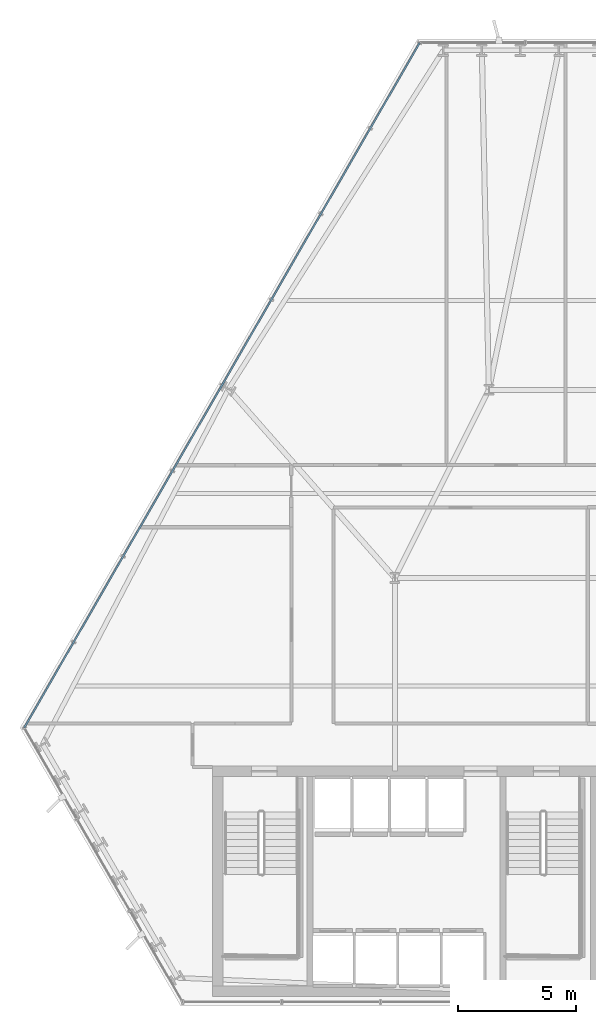
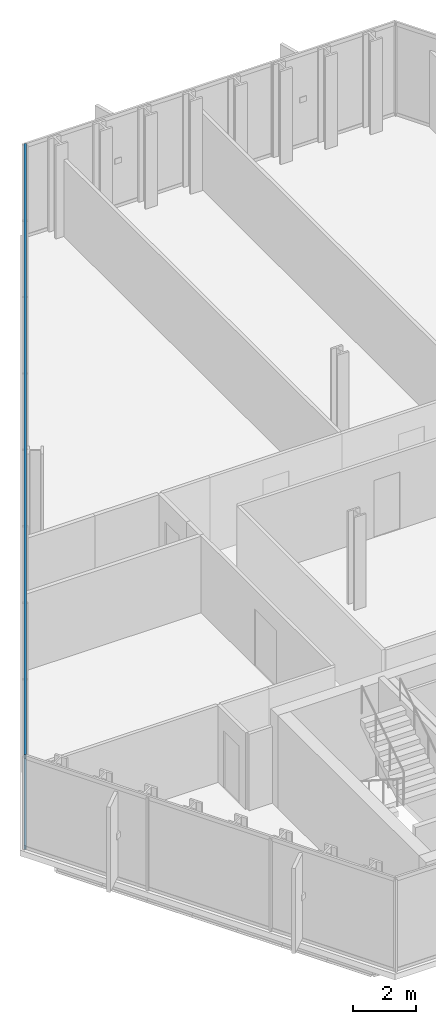
# One storey, part 12 of 31: 2 members, 1 element without a shape of its own.
"""IFC4 building model written with IfcOpenShell, lengths in metres."""

from ifc_helpers import new_model, si_unit, direction, frame, origin, origin_2d, place, context, subcontext, project, spatial, hollow_rectangle, extrude, material, layer, layer_set, material_profile, profile_set, type_object, element, aggregate, save


model = new_model("IFC4")

# Units and contexts
model_context = context("Model", 3, precision=1e-05, world=origin(), true_north=direction((0.0, 1.0)))
body_context = subcontext(model_context, "Body", "Model", "MODEL_VIEW")
ifc_project = project(units=[si_unit("LENGTHUNIT", "METRE"), si_unit("AREAUNIT", "SQUARE_METRE"), si_unit("VOLUMEUNIT", "CUBIC_METRE"), si_unit("PLANEANGLEUNIT", "RADIAN"), si_unit("MASSUNIT", "GRAM", prefix="KILO")], contexts=[model_context])

# Site, building, storey
site_placement = place(None, origin())
site = spatial("IfcSite", under=ifc_project, at=site_placement, CompositionType="ELEMENT")
building_placement = place(site_placement, origin())
building = spatial("IfcBuilding", under=site, at=building_placement, Name="Ndaravel Arena Tower", CompositionType="ELEMENT")
storey_placement = place(building_placement, frame((0.0, 0.0, 104.39990234375)))
storey = spatial("IfcBuildingStorey", under=building, at=storey_placement, Name="L24", CompositionType="ELEMENT", Elevation=104.39990234375)

# Curtain wall, members
ifc_material_1 = material(Name="Aluminium", Category="aluminium")
ifc_layer = layer(ifc_material_1, 0.179931640625)
ifc_layer_set = layer_set([ifc_layer], Name="Aluminium")
curtain_wall_type = type_object("IfcCurtainWallType", Name="CW-SYS-03", PredefinedType="NOTDEFINED", material=ifc_layer_set)
curtain_wall_placement = place(storey_placement, origin())
curtain_wall = element("IfcCurtainWall", 1, at=curtain_wall_placement, inside=storey, type_object=curtain_wall_type, Name="L24 Faceted Crystal Curtain Wall CW-L24-E05", PredefinedType="NOTDEFINED")
ifc_material_2 = material(Name="Aluminium", Category="aluminium")
ifc_material_profile = material_profile(ifc_material_2, hollow_rectangle(XDim=0.074951171875, YDim=0.14990234375, WallThickness=0.00390625, at=origin_2d()), Name="CW TRANSOM 75x150x4")
ifc_profile_set = profile_set([ifc_material_profile], Name="Aluminium")
member_type = type_object("IfcMemberType", Name="MEM-CW-TRN150", PredefinedType="USERDEFINED", material=ifc_profile_set)
member_1_placement = place(storey_placement, frame((35.2607421875, 45.962646484375, 0.0400390625), z_axis=(-0.49999932107, -0.866025795764, 0.0), x_axis=(0.866025795764, -0.49999932107, 0.0)))
member_1 = element("IfcMember", 2, at=member_1_placement, type_object=member_type, Name="CW-L24-E05 Transom 01", ObjectType="TRANSOM", PredefinedType="USERDEFINED", context=body_context, shape_type="SweptSolid", body=[
    extrude(hollow_rectangle(XDim=0.074951171875, YDim=0.14990234375, WallThickness=0.00390625, at=origin_2d()), origin(), (0.0, 0.0, 1.0), 33.63623046875),
])
member_2_placement = place(storey_placement, frame((35.2607421875, 45.962646484375, 3.5400390625), z_axis=(-0.49999932107, -0.866025795764, 0.0), x_axis=(0.866025795764, -0.49999932107, 0.0)))
member_2 = element("IfcMember", 3, at=member_2_placement, type_object=member_type, Name="CW-L24-E05 Transom 02", ObjectType="TRANSOM", PredefinedType="USERDEFINED", context=body_context, shape_type="SweptSolid", body=[
    extrude(hollow_rectangle(XDim=0.074951171875, YDim=0.14990234375, WallThickness=0.00390625, at=origin_2d()), origin(), (0.0, 0.0, 1.0), 33.63623046875),
])
aggregate(curtain_wall, [member_1, member_2])

save(model, "model.ifc")
